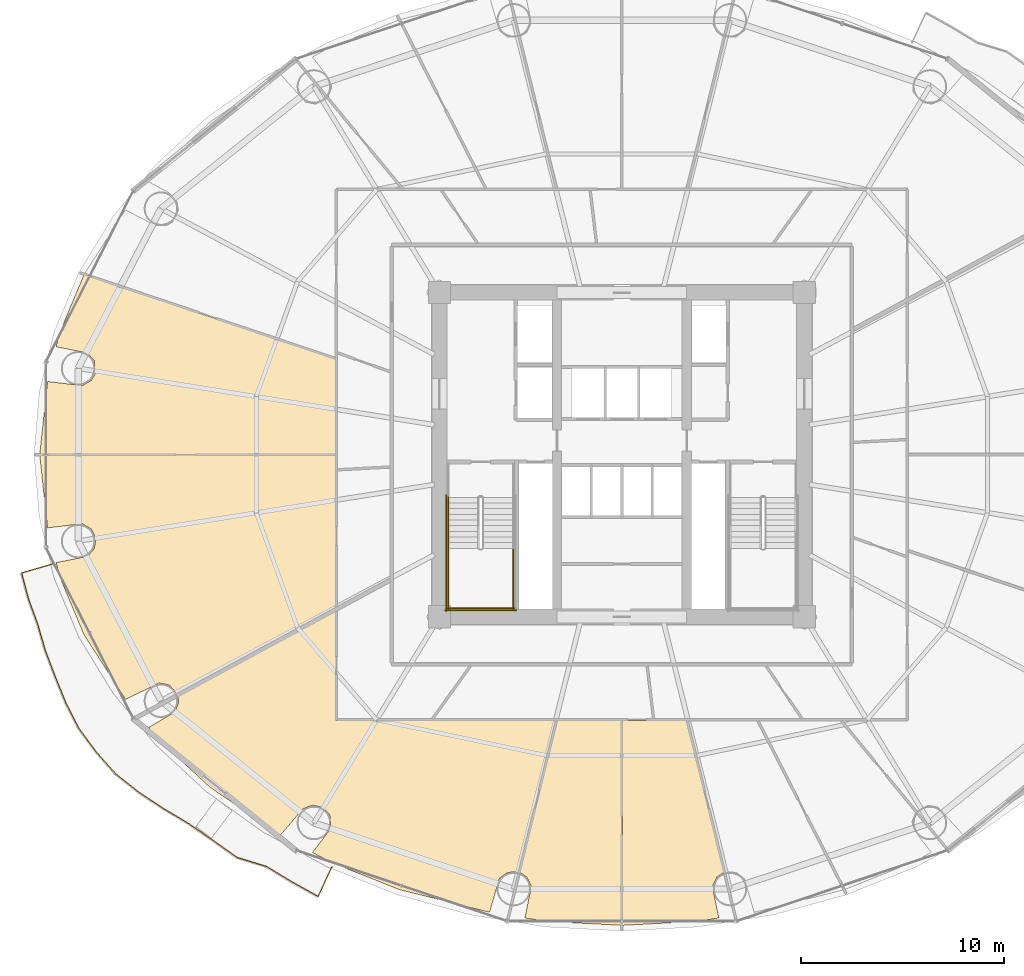
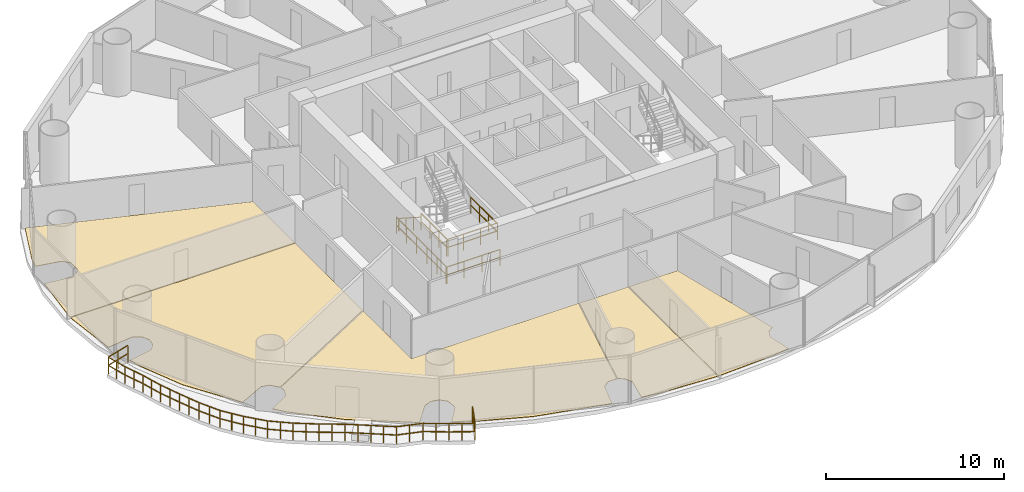
# One storey, part 27 of 30: 7 railings, 5 coverings.
"""IFC4 building model written with IfcOpenShell, lengths in metres."""

import ifcopenshell
import ifcopenshell.guid

model = None  # the IFC model being written
_history = None  # IfcOwnerHistory: only IFC2X3 demands one
_inside = {}  # id of a spatial element -> (the spatial element, [elements in it])
_under = {}  # id of a project, library or spatial element -> (it, [spatial elements below it])
_declared = {}  # id of a project -> (the project, [libraries it declares])
_typed = {}  # id of a type object -> (the type object, [elements of that type])
_made_of = {}  # id of a material, layer set ... -> (it, [elements and type objects made of it])


def new_model(schema):
    """Start an empty IFC model of exactly this schema.

    Asked for "IFC4X3", IfcOpenShell would pick the latest addendum, in which some entities
    have other attributes; the version numbers below select the first issue.
    IFC2X3 requires an IfcOwnerHistory on every rooted entity: one is made here for all.
    """
    global model, _history
    if schema == "IFC4X3":
        model = ifcopenshell.file(schema_version=(4, 3, 0, 0))
    else:
        model = ifcopenshell.file(schema=schema)
    _inside.clear()
    _under.clear()
    _declared.clear()
    _typed.clear()
    _made_of.clear()
    _history = None
    if model.schema == "IFC2X3":
        org = make("IfcOrganization", Name="unknown")
        user = make(
            "IfcPersonAndOrganization",
            ThePerson=make("IfcPerson", FamilyName="unknown"),
            TheOrganization=org,
        )
        app = make(
            "IfcApplication",
            ApplicationDeveloper=org,
            Version="unknown",
            ApplicationFullName="unknown",
            ApplicationIdentifier="unknown",
        )
        _history = make(
            "IfcOwnerHistory",
            OwningUser=user,
            OwningApplication=app,
            ChangeAction="ADDED",
            CreationDate=0,
        )
    return model


def make(cls, **values):
    """One entity of the class cls with the attributes given. An attribute that is None is left unset."""
    return model.create_entity(
        cls, **{name: value for name, value in values.items() if value is not None}
    )


def rooted(cls, **values):
    """An entity with a GlobalId (a new one), such as an element, a storey or a relation."""
    return make(cls, GlobalId=ifcopenshell.guid.new(), OwnerHistory=_history, **values)


def si_unit(unit_type, name, prefix=None):
    """IfcSIUnit, for example si_unit("LENGTHUNIT", "METRE", prefix="MILLI")."""
    return make("IfcSIUnit", UnitType=unit_type, Prefix=prefix, Name=name)


def assignment(units):
    """IfcUnitAssignment: the units of a project."""
    return None if units is None else make("IfcUnitAssignment", Units=units)


def point(xyz):
    """IfcCartesianPoint."""
    return None if xyz is None else make("IfcCartesianPoint", Coordinates=xyz)


def direction(xyz):
    """IfcDirection."""
    return None if xyz is None else make("IfcDirection", DirectionRatios=xyz)


def frame(location, z_axis=None, x_axis=None):
    """IfcAxis2Placement3D, a coordinate frame: its origin and axes. An axis left out is left unset."""
    return make(
        "IfcAxis2Placement3D",
        Location=point(location),
        Axis=direction(z_axis),
        RefDirection=direction(x_axis),
    )


def frame_2d(location, x_axis=None):
    """IfcAxis2Placement2D, a coordinate frame in the plane: its origin and x axis."""
    return make(
        "IfcAxis2Placement2D", Location=point(location), RefDirection=direction(x_axis)
    )


def origin():
    """The frame at (0, 0, 0) with its axes left unset."""
    return frame((0.0, 0.0, 0.0))


def origin_2d():
    """The frame at (0, 0) in the plane with its x axis left unset."""
    return frame_2d((0.0, 0.0))


def place(relative_to, where):
    """IfcLocalPlacement: puts the frame where relative to a parent placement (None: the world)."""
    return make(
        "IfcLocalPlacement", PlacementRelTo=relative_to, RelativePlacement=where
    )


def context(
    kind, dimensions, precision=None, world=None, true_north=None, identifier=None
):
    """IfcGeometricRepresentationContext, for example the 3D "Model" context."""
    return make(
        "IfcGeometricRepresentationContext",
        ContextIdentifier=identifier,
        ContextType=kind,
        CoordinateSpaceDimension=dimensions,
        Precision=precision,
        WorldCoordinateSystem=world,
        TrueNorth=true_north,
    )


def subcontext(parent, identifier, kind, view, scale=None):
    """IfcGeometricRepresentationSubContext, for example "Body" below "Model"."""
    return make(
        "IfcGeometricRepresentationSubContext",
        ContextIdentifier=identifier,
        ContextType=kind,
        ParentContext=parent,
        TargetScale=scale,
        TargetView=view,
    )


def project(units=None, contexts=None):
    """IfcProject with its units and contexts."""
    return rooted(
        "IfcProject",
        Name="project",
        RepresentationContexts=contexts,
        UnitsInContext=assignment(units),
    )


def spatial(cls, under=None, at=None, **own):
    """A site, building, storey or space (cls), placed at a placement, below another one or the project."""
    s = rooted(cls, ObjectPlacement=at, **own)
    if under is not None:
        _under.setdefault(under.id(), (under, []))[1].append(s)
    return s


def polyline(points):
    """IfcPolyline through the points."""
    return make("IfcPolyline", Points=[point(p) for p in points])


def profile(cls, at=None, kind="AREA", **sizes):
    """A parametric profile (cls). Its sizes go by their IFC names, for example OverallWidth=200.0."""
    return make(cls, ProfileType=kind, Position=at, **sizes)


def rectangle(**sizes):
    """IfcRectangleProfileDef."""
    return profile("IfcRectangleProfileDef", **sizes)


def outline(outer, holes=None, kind="AREA"):
    """IfcArbitraryClosedProfileDef: a profile drawn as a closed curve; with holes, ...WithVoids."""
    if holes is None:
        return make("IfcArbitraryClosedProfileDef", ProfileType=kind, OuterCurve=outer)
    return make(
        "IfcArbitraryProfileDefWithVoids",
        ProfileType=kind,
        OuterCurve=outer,
        InnerCurves=holes,
    )


def extrude(swept, where, along, depth):
    """IfcExtrudedAreaSolid: the profile swept, set in the frame where, extruded along a direction by depth."""
    return make(
        "IfcExtrudedAreaSolid",
        SweptArea=swept,
        Position=where,
        ExtrudedDirection=direction(along),
        Depth=depth,
    )


def shape(context_of_items, identifier, shape_type, items):
    """IfcShapeRepresentation: the items that make up one representation, for example the "Body"."""
    return make(
        "IfcShapeRepresentation",
        ContextOfItems=context_of_items,
        RepresentationIdentifier=identifier,
        RepresentationType=shape_type,
        Items=items,
    )


def material(Name=None, Category=None):
    """IfcMaterial."""
    return make("IfcMaterial", Name=Name, Category=Category)


def layer(
    of_material, thickness, ventilated=None, Name=None, Category=None, Priority=None
):
    """IfcMaterialLayer: one layer of a wall or slab, of a material (None: an air gap)."""
    return make(
        "IfcMaterialLayer",
        Material=of_material,
        LayerThickness=thickness,
        IsVentilated=ventilated,
        Name=Name,
        Category=Category,
        Priority=Priority,
    )


def layer_set(layers, Name=None):
    """IfcMaterialLayerSet."""
    return make("IfcMaterialLayerSet", MaterialLayers=layers, LayerSetName=Name)


def made_of(thing, what):
    """Note that an element or type object is made of a material, layer set ...; save() writes the relation."""
    if what is not None:
        _made_of.setdefault(what.id(), (what, []))[1].append(thing)
    return thing


def type_object(cls, material=None, **own):
    """A type object (cls), such as IfcWallType, which elements share."""
    return made_of(rooted(cls, **own), material)


def element(
    cls,
    number,
    at=None,
    inside=None,
    cuts=None,
    type_object=None,
    material=None,
    context=None,
    identifier="Body",
    shape_type=None,
    held_by="IfcProductDefinitionShape",
    body=None,
    shapes=None,
    **own,
):
    """One element of the class cls, such as IfcWall. Its Tag is "e" and its number.

    at: its placement. inside: the storey or other place that contains it. cuts: it is an
    opening in that element (IfcRelVoidsElement). A single representation is given by context,
    identifier, shape_type and body (its items); several are given by shapes. held_by: the class
    of the entity that holds the representations. save() writes the other relations.
    """
    e = rooted(cls, Tag="e%d" % number, ObjectPlacement=at, **own)
    if body is not None:
        shapes = [shape(context, identifier, shape_type, body)]
    if shapes is not None:
        e.Representation = make(held_by, Representations=shapes)
    if inside is not None:
        _inside.setdefault(inside.id(), (inside, []))[1].append(e)
    if cuts is not None:
        rooted(
            "IfcRelVoidsElement", RelatingBuildingElement=cuts, RelatedOpeningElement=e
        )
    if type_object is not None:
        _typed.setdefault(type_object.id(), (type_object, []))[1].append(e)
    return made_of(e, material)


def aggregate(whole, parts):
    """IfcRelAggregates: a whole, such as a stair, and the parts it consists of."""
    return rooted("IfcRelAggregates", RelatingObject=whole, RelatedObjects=parts)


def save(model, path):
    """Write the relations noted so far, then the file.

    IfcRelAggregates (storeys below a building ...), IfcRelContainedInSpatialStructure (elements
    in a storey), IfcRelDefinesByType, IfcRelAssociatesMaterial and IfcRelDeclares: one each for
    every whole, place, type object, material and project.
    """
    for whole, parts in _under.values():
        aggregate(whole, parts)
    for where, things in _inside.values():
        rooted(
            "IfcRelContainedInSpatialStructure",
            RelatedElements=things,
            RelatingStructure=where,
        )
    for kind, things in _typed.values():
        rooted("IfcRelDefinesByType", RelatedObjects=things, RelatingType=kind)
    for what, things in _made_of.values():
        rooted("IfcRelAssociatesMaterial", RelatedObjects=things, RelatingMaterial=what)
    for by, libraries in _declared.values():
        rooted("IfcRelDeclares", RelatingContext=by, RelatedDefinitions=libraries)
    model.write(path)


model = new_model("IFC4")

# Units and contexts
model_context = context("Model", 3, precision=1e-05, world=origin(), true_north=direction((-0.2419218956, 0.970295726276)))
body_context = subcontext(model_context, "Body", "Model", "MODEL_VIEW")
ifc_project = project(units=[si_unit("LENGTHUNIT", "METRE"), si_unit("AREAUNIT", "SQUARE_METRE"), si_unit("VOLUMEUNIT", "CUBIC_METRE"), si_unit("PLANEANGLEUNIT", "RADIAN"), si_unit("MASSUNIT", "GRAM", prefix="KILO")], contexts=[model_context])

# Site, building, storey
site_placement = place(None, origin())
site = spatial("IfcSite", under=ifc_project, at=site_placement, CompositionType="ELEMENT")
building_placement = place(site_placement, origin())
building = spatial("IfcBuilding", under=site, at=building_placement, Name="Cobrevalo Terracotta Tower", CompositionType="ELEMENT")
storey_placement = place(building_placement, frame((0.0, 0.0, 56.39990234375)))
storey = spatial("IfcBuildingStorey", under=building, at=storey_placement, Name="L14", CompositionType="ELEMENT", Elevation=56.39990234375)

# Railing
ifc_material_1 = material(Name="Laminated structural glass and stainless steel", Category="steel")
railing_type_1 = type_object("IfcRailingType", Name="Balcony lobe structural glass & terracotta-cap balustrade 1180 mm", PredefinedType="BALUSTRADE", material=ifc_material_1)
railing_1_placement = place(storey_placement, frame((9.91064453125, 21.410888671875, 0.0)))
element("IfcRailing", 1, at=railing_1_placement, inside=storey, type_object=railing_type_1, Name="L14 spiralling balcony lobe balustrade 2", PredefinedType="BALUSTRADE", context=body_context, shape_type="SweptSolid", body=[
    extrude(rectangle(XDim=0.048095703125, YDim=0.048095703125, at=origin_2d()), frame((0.0, 0.0, 1.15576171875), z_axis=(-0.959953488295, -0.280159419457, 0.0), x_axis=(0.280159419457, -0.959953488295, 0.0)), (0.0, 0.0, 1.0), 1.587646484375),
    extrude(rectangle(XDim=0.048095703125, YDim=0.048095703125, at=origin_2d()), frame((0.0, 0.0, 0.58984375), z_axis=(-0.959953488295, -0.280159419457, 0.0), x_axis=(0.280159419457, -0.959953488295, 0.0)), (0.0, 0.0, 1.0), 1.587646484375),
    extrude(rectangle(XDim=0.048095703125, YDim=0.048095703125, at=origin_2d()), frame((-1.524169921875, -0.44482421875, 1.15576171875), z_axis=(0.25676316911, -0.966474352991, 0.0), x_axis=(0.966474352991, 0.25676316911, 0.0)), (0.0, 0.0, 1.0), 1.31787109375),
    extrude(rectangle(XDim=0.048095703125, YDim=0.048095703125, at=origin_2d()), frame((-1.524169921875, -0.44482421875, 0.58984375), z_axis=(0.25676316911, -0.966474352991, 0.0), x_axis=(0.966474352991, 0.25676316911, 0.0)), (0.0, 0.0, 1.0), 1.31787109375),
    extrude(rectangle(XDim=0.048095703125, YDim=0.048095703125, at=origin_2d()), frame((-1.185791015625, -1.718505859375, 1.15576171875), z_axis=(0.341213887421, -0.939985682354, 0.0), x_axis=(0.939985682354, 0.341213887421, 0.0)), (0.0, 0.0, 1.0), 1.333740234375),
    extrude(rectangle(XDim=0.048095703125, YDim=0.048095703125, at=origin_2d()), frame((-1.185791015625, -1.718505859375, 0.58984375), z_axis=(0.341213887421, -0.939985682354, 0.0), x_axis=(0.939985682354, 0.341213887421, 0.0)), (0.0, 0.0, 1.0), 1.333740234375),
    extrude(rectangle(XDim=0.048095703125, YDim=0.048095703125, at=origin_2d()), frame((-0.730712890625, -2.97216796875, 1.15576171875), z_axis=(0.278150053131, -0.96053763484, 0.0), x_axis=(0.96053763484, 0.278150053131, 0.0)), (0.0, 0.0, 1.0), 1.353515625),
    extrude(rectangle(XDim=0.048095703125, YDim=0.048095703125, at=origin_2d()), frame((-0.730712890625, -2.97216796875, 0.58984375), z_axis=(0.278150053131, -0.96053763484, 0.0), x_axis=(0.96053763484, 0.278150053131, 0.0)), (0.0, 0.0, 1.0), 1.353515625),
    extrude(rectangle(XDim=0.048095703125, YDim=0.048095703125, at=origin_2d()), frame((-0.354248046875, -4.272216796875, 1.15576171875), z_axis=(0.355282598321, -0.93475893969, 0.0), x_axis=(0.93475893969, 0.355282598321, 0.0)), (0.0, 0.0, 1.0), 1.3818359375),
    extrude(rectangle(XDim=0.048095703125, YDim=0.048095703125, at=origin_2d()), frame((-0.354248046875, -4.272216796875, 0.58984375), z_axis=(0.355282598321, -0.93475893969, 0.0), x_axis=(0.93475893969, 0.355282598321, 0.0)), (0.0, 0.0, 1.0), 1.3818359375),
    extrude(rectangle(XDim=0.048095703125, YDim=0.048095703125, at=origin_2d()), frame((0.13671875, -5.56396484375, 1.15576171875), z_axis=(0.374770128343, -0.92711776539, 0.0), x_axis=(0.92711776539, 0.374770128343, 0.0)), (0.0, 0.0, 1.0), 1.406494140625),
    extrude(rectangle(XDim=0.048095703125, YDim=0.048095703125, at=origin_2d()), frame((0.13671875, -5.56396484375, 0.58984375), z_axis=(0.374770128343, -0.92711776539, 0.0), x_axis=(0.92711776539, 0.374770128343, 0.0)), (0.0, 0.0, 1.0), 1.406494140625),
    extrude(rectangle(XDim=0.048095703125, YDim=0.048095703125, at=origin_2d()), frame((0.663818359375, -6.867919921875, 1.15576171875), z_axis=(0.454713158602, -0.890637941811, 0.0), x_axis=(0.890637941811, 0.454713158602, 0.0)), (0.0, 0.0, 1.0), 1.416259765625),
    extrude(rectangle(XDim=0.048095703125, YDim=0.048095703125, at=origin_2d()), frame((0.663818359375, -6.867919921875, 0.58984375), z_axis=(0.454713158602, -0.890637941811, 0.0), x_axis=(0.890637941811, 0.454713158602, 0.0)), (0.0, 0.0, 1.0), 1.416259765625),
    extrude(rectangle(XDim=0.048095703125, YDim=0.048095703125, at=origin_2d()), frame((1.307861328125, -8.12939453125, 1.15576171875), z_axis=(0.593547662469, -0.804798839697, 0.0), x_axis=(0.804798839697, 0.593547662469, 0.0)), (0.0, 0.0, 1.0), 1.43310546875),
    extrude(rectangle(XDim=0.048095703125, YDim=0.048095703125, at=origin_2d()), frame((1.307861328125, -8.12939453125, 0.58984375), z_axis=(0.593547662469, -0.804798839697, 0.0), x_axis=(0.804798839697, 0.593547662469, 0.0)), (0.0, 0.0, 1.0), 1.43310546875),
    extrude(rectangle(XDim=0.048095703125, YDim=0.048095703125, at=origin_2d()), frame((2.158447265625, -9.28271484375, 1.15576171875), z_axis=(0.662868501169, -0.748735834696, 0.0), x_axis=(0.748735834696, 0.662868501169, 0.0)), (0.0, 0.0, 1.0), 1.43017578125),
    extrude(rectangle(XDim=0.048095703125, YDim=0.048095703125, at=origin_2d()), frame((2.158447265625, -9.28271484375, 0.58984375), z_axis=(0.662868501169, -0.748735834696, 0.0), x_axis=(0.748735834696, 0.662868501169, 0.0)), (0.0, 0.0, 1.0), 1.43017578125),
    extrude(rectangle(XDim=0.048095703125, YDim=0.048095703125, at=origin_2d()), frame((3.1064453125, -10.353515625, 1.15576171875), z_axis=(0.784055996257, -0.620690095566, 0.0), x_axis=(0.620690095566, 0.784055996257, 0.0)), (0.0, 0.0, 1.0), 1.4599609375),
    extrude(rectangle(XDim=0.048095703125, YDim=0.048095703125, at=origin_2d()), frame((3.1064453125, -10.353515625, 0.58984375), z_axis=(0.784055996257, -0.620690095566, 0.0), x_axis=(0.620690095566, 0.784055996257, 0.0)), (0.0, 0.0, 1.0), 1.4599609375),
    extrude(rectangle(XDim=0.048095703125, YDim=0.048095703125, at=origin_2d()), frame((4.251220703125, -11.259765625, 1.15576171875), z_axis=(0.834019035197, -0.551735669438, 0.0), x_axis=(0.551735669438, 0.834019035197, 0.0)), (0.0, 0.0, 1.0), 1.465087890625),
    extrude(rectangle(XDim=0.048095703125, YDim=0.048095703125, at=origin_2d()), frame((4.251220703125, -11.259765625, 0.58984375), z_axis=(0.834019035197, -0.551735669438, 0.0), x_axis=(0.551735669438, 0.834019035197, 0.0)), (0.0, 0.0, 1.0), 1.465087890625),
    extrude(rectangle(XDim=0.048095703125, YDim=0.048095703125, at=origin_2d()), frame((5.47314453125, -12.068115234375, 1.15576171875), z_axis=(0.858955491535, -0.512050254918, 0.0), x_axis=(0.512050254918, 0.858955491535, 0.0)), (0.0, 0.0, 1.0), 1.45458984375),
    extrude(rectangle(XDim=0.048095703125, YDim=0.048095703125, at=origin_2d()), frame((5.47314453125, -12.068115234375, 0.58984375), z_axis=(0.858955491535, -0.512050254918, 0.0), x_axis=(0.512050254918, 0.858955491535, 0.0)), (0.0, 0.0, 1.0), 1.45458984375),
    extrude(rectangle(XDim=0.048095703125, YDim=0.048095703125, at=origin_2d()), frame((6.72265625, -12.81298828125, 1.15576171875), z_axis=(0.822613647557, -0.568600727095, 0.0), x_axis=(0.568600727095, 0.822613647557, 0.0)), (0.0, 0.0, 1.0), 1.458984375),
    extrude(rectangle(XDim=0.048095703125, YDim=0.048095703125, at=origin_2d()), frame((6.72265625, -12.81298828125, 0.58984375), z_axis=(0.822613647557, -0.568600727095, 0.0), x_axis=(0.568600727095, 0.822613647557, 0.0)), (0.0, 0.0, 1.0), 1.458984375),
    extrude(rectangle(XDim=0.048095703125, YDim=0.048095703125, at=origin_2d()), frame((7.9228515625, -13.642578125, 1.15576171875), z_axis=(0.816218894851, -0.577742776405, 0.0), x_axis=(0.577742776405, 0.816218894851, 0.0)), (0.0, 0.0, 1.0), 1.455810546875),
    extrude(rectangle(XDim=0.048095703125, YDim=0.048095703125, at=origin_2d()), frame((7.9228515625, -13.642578125, 0.58984375), z_axis=(0.816218894851, -0.577742776405, 0.0), x_axis=(0.577742776405, 0.816218894851, 0.0)), (0.0, 0.0, 1.0), 1.455810546875),
    extrude(rectangle(XDim=0.048095703125, YDim=0.048095703125, at=origin_2d()), frame((9.111083984375, -14.483642578125, 1.15576171875), z_axis=(0.956303986785, -0.29237422058, 0.0), x_axis=(0.29237422058, 0.956303986785, 0.0)), (0.0, 0.0, 1.0), 1.513916015625),
    extrude(rectangle(XDim=0.048095703125, YDim=0.048095703125, at=origin_2d()), frame((9.111083984375, -14.483642578125, 0.58984375), z_axis=(0.956303986785, -0.29237422058, 0.0), x_axis=(0.29237422058, 0.956303986785, 0.0)), (0.0, 0.0, 1.0), 1.513916015625),
    extrude(rectangle(XDim=0.048095703125, YDim=0.048095703125, at=origin_2d()), frame((10.558837890625, -14.92626953125, 1.15576171875), z_axis=(0.854981792719, -0.518658012683, 0.0), x_axis=(0.518658012683, 0.854981792719, 0.0)), (0.0, 0.0, 1.0), 1.472900390625),
    extrude(rectangle(XDim=0.048095703125, YDim=0.048095703125, at=origin_2d()), frame((10.558837890625, -14.92626953125, 0.58984375), z_axis=(0.854981792719, -0.518658012683, 0.0), x_axis=(0.518658012683, 0.854981792719, 0.0)), (0.0, 0.0, 1.0), 1.472900390625),
    extrude(rectangle(XDim=0.048095703125, YDim=0.048095703125, at=origin_2d()), frame((11.818115234375, -15.690185546875, 1.15576171875), z_axis=(0.874889454539, -0.484322663456, 0.0), x_axis=(0.484322663456, 0.874889454539, 0.0)), (0.0, 0.0, 1.0), 1.4765625),
    extrude(rectangle(XDim=0.048095703125, YDim=0.048095703125, at=origin_2d()), frame((11.818115234375, -15.690185546875, 0.58984375), z_axis=(0.874889454539, -0.484322663456, 0.0), x_axis=(0.484322663456, 0.874889454539, 0.0)), (0.0, 0.0, 1.0), 1.4765625),
    extrude(rectangle(XDim=0.048095703125, YDim=0.048095703125, at=origin_2d()), frame((13.10986328125, -16.4052734375, 1.15576171875), z_axis=(0.419732157948, 0.907648013045, 0.0), x_axis=(-0.907648013045, 0.419732157948, 0.0)), (0.0, 0.0, 1.0), 1.607666015625),
    extrude(rectangle(XDim=0.048095703125, YDim=0.048095703125, at=origin_2d()), frame((13.10986328125, -16.4052734375, 0.58984375), z_axis=(0.419732157948, 0.907648013045, 0.0), x_axis=(-0.907648013045, 0.419732157948, 0.0)), (0.0, 0.0, 1.0), 1.607666015625),
    extrude(rectangle(XDim=0.0419921875, YDim=0.0419921875, at=origin_2d()), origin(), (0.0, 0.0, 1.0), 1.1318359375),
    extrude(rectangle(XDim=0.0419921875, YDim=0.0419921875, at=origin_2d()), frame((-0.76220703125, -0.222412109375, 0.0)), (0.0, 0.0, 1.0), 1.1318359375),
    extrude(rectangle(XDim=0.0419921875, YDim=0.0419921875, at=origin_2d()), frame((-1.524169921875, -0.44482421875, 0.0)), (0.0, 0.0, 1.0), 1.1318359375),
    extrude(rectangle(XDim=0.0419921875, YDim=0.0419921875, at=origin_2d()), frame((-1.35498046875, -1.08154296875, 0.0)), (0.0, 0.0, 1.0), 1.1318359375),
    extrude(rectangle(XDim=0.0419921875, YDim=0.0419921875, at=origin_2d()), frame((-1.185791015625, -1.718505859375, 0.0)), (0.0, 0.0, 1.0), 1.1318359375),
    extrude(rectangle(XDim=0.0419921875, YDim=0.0419921875, at=origin_2d()), frame((-0.958251953125, -2.34521484375, 0.0)), (0.0, 0.0, 1.0), 1.1318359375),
    extrude(rectangle(XDim=0.0419921875, YDim=0.0419921875, at=origin_2d()), frame((-0.730712890625, -2.97216796875, 0.0)), (0.0, 0.0, 1.0), 1.1318359375),
    extrude(rectangle(XDim=0.0419921875, YDim=0.0419921875, at=origin_2d()), frame((-0.54248046875, -3.6220703125, 0.0)), (0.0, 0.0, 1.0), 1.1318359375),
    extrude(rectangle(XDim=0.0419921875, YDim=0.0419921875, at=origin_2d()), frame((-0.354248046875, -4.272216796875, 0.0)), (0.0, 0.0, 1.0), 1.1318359375),
    extrude(rectangle(XDim=0.0419921875, YDim=0.0419921875, at=origin_2d()), frame((-0.10888671875, -4.91796875, 0.0)), (0.0, 0.0, 1.0), 1.1318359375),
    extrude(rectangle(XDim=0.0419921875, YDim=0.0419921875, at=origin_2d()), frame((0.13671875, -5.56396484375, 0.0)), (0.0, 0.0, 1.0), 1.1318359375),
    extrude(rectangle(XDim=0.0419921875, YDim=0.0419921875, at=origin_2d()), frame((0.400390625, -6.2158203125, 0.0)), (0.0, 0.0, 1.0), 1.1318359375),
    extrude(rectangle(XDim=0.0419921875, YDim=0.0419921875, at=origin_2d()), frame((0.663818359375, -6.867919921875, 0.0)), (0.0, 0.0, 1.0), 1.1318359375),
    extrude(rectangle(XDim=0.0419921875, YDim=0.0419921875, at=origin_2d()), frame((0.98583984375, -7.49853515625, 0.0)), (0.0, 0.0, 1.0), 1.1318359375),
    extrude(rectangle(XDim=0.0419921875, YDim=0.0419921875, at=origin_2d()), frame((1.307861328125, -8.12939453125, 0.0)), (0.0, 0.0, 1.0), 1.1318359375),
    extrude(rectangle(XDim=0.0419921875, YDim=0.0419921875, at=origin_2d()), frame((1.733154296875, -8.7060546875, 0.0)), (0.0, 0.0, 1.0), 1.1318359375),
    extrude(rectangle(XDim=0.0419921875, YDim=0.0419921875, at=origin_2d()), frame((2.158447265625, -9.28271484375, 0.0)), (0.0, 0.0, 1.0), 1.1318359375),
    extrude(rectangle(XDim=0.0419921875, YDim=0.0419921875, at=origin_2d()), frame((2.63232421875, -9.818115234375, 0.0)), (0.0, 0.0, 1.0), 1.1318359375),
    extrude(rectangle(XDim=0.0419921875, YDim=0.0419921875, at=origin_2d()), frame((3.1064453125, -10.353515625, 0.0)), (0.0, 0.0, 1.0), 1.1318359375),
    extrude(rectangle(XDim=0.0419921875, YDim=0.0419921875, at=origin_2d()), frame((3.6787109375, -10.806640625, 0.0)), (0.0, 0.0, 1.0), 1.1318359375),
    extrude(rectangle(XDim=0.0419921875, YDim=0.0419921875, at=origin_2d()), frame((4.251220703125, -11.259765625, 0.0)), (0.0, 0.0, 1.0), 1.1318359375),
    extrude(rectangle(XDim=0.0419921875, YDim=0.0419921875, at=origin_2d()), frame((4.8623046875, -11.6640625, 0.0)), (0.0, 0.0, 1.0), 1.1318359375),
    extrude(rectangle(XDim=0.0419921875, YDim=0.0419921875, at=origin_2d()), frame((5.47314453125, -12.068115234375, 0.0)), (0.0, 0.0, 1.0), 1.1318359375),
    extrude(rectangle(XDim=0.0419921875, YDim=0.0419921875, at=origin_2d()), frame((6.097900390625, -12.4404296875, 0.0)), (0.0, 0.0, 1.0), 1.1318359375),
    extrude(rectangle(XDim=0.0419921875, YDim=0.0419921875, at=origin_2d()), frame((6.72265625, -12.81298828125, 0.0)), (0.0, 0.0, 1.0), 1.1318359375),
    extrude(rectangle(XDim=0.0419921875, YDim=0.0419921875, at=origin_2d()), frame((7.32275390625, -13.227783203125, 0.0)), (0.0, 0.0, 1.0), 1.1318359375),
    extrude(rectangle(XDim=0.0419921875, YDim=0.0419921875, at=origin_2d()), frame((7.9228515625, -13.642578125, 0.0)), (0.0, 0.0, 1.0), 1.1318359375),
    extrude(rectangle(XDim=0.0419921875, YDim=0.0419921875, at=origin_2d()), frame((8.51708984375, -14.06298828125, 0.0)), (0.0, 0.0, 1.0), 1.1318359375),
    extrude(rectangle(XDim=0.0419921875, YDim=0.0419921875, at=origin_2d()), frame((9.111083984375, -14.483642578125, 0.0)), (0.0, 0.0, 1.0), 1.1318359375),
    extrude(rectangle(XDim=0.0419921875, YDim=0.0419921875, at=origin_2d()), frame((9.8349609375, -14.705078125, 0.0)), (0.0, 0.0, 1.0), 1.1318359375),
    extrude(rectangle(XDim=0.0419921875, YDim=0.0419921875, at=origin_2d()), frame((10.558837890625, -14.92626953125, 0.0)), (0.0, 0.0, 1.0), 1.1318359375),
    extrude(rectangle(XDim=0.0419921875, YDim=0.0419921875, at=origin_2d()), frame((11.1884765625, -15.30810546875, 0.0)), (0.0, 0.0, 1.0), 1.1318359375),
    extrude(rectangle(XDim=0.0419921875, YDim=0.0419921875, at=origin_2d()), frame((11.818115234375, -15.690185546875, 0.0)), (0.0, 0.0, 1.0), 1.1318359375),
    extrude(rectangle(XDim=0.0419921875, YDim=0.0419921875, at=origin_2d()), frame((12.4638671875, -16.0478515625, 0.0)), (0.0, 0.0, 1.0), 1.1318359375),
    extrude(rectangle(XDim=0.0419921875, YDim=0.0419921875, at=origin_2d()), frame((13.10986328125, -16.4052734375, 0.0)), (0.0, 0.0, 1.0), 1.1318359375),
    extrude(rectangle(XDim=0.0419921875, YDim=0.0419921875, at=origin_2d()), frame((13.447265625, -15.67578125, 0.0)), (0.0, 0.0, 1.0), 1.1318359375),
    extrude(rectangle(XDim=0.0419921875, YDim=0.0419921875, at=origin_2d()), frame((13.78466796875, -14.946044921875, 0.0)), (0.0, 0.0, 1.0), 1.1318359375),
])

# Coverings
ifc_material_2 = material(Name="Engineered Brazilian hardwood flooring", Category="wood")
ifc_layer = layer(ifc_material_2, 0.028076171875)
ifc_layer_set = layer_set([ifc_layer], Name="Engineered Brazilian hardwood flooring")
covering_type = type_object("IfcCoveringType", Name="Engineered Hardwood Suite Flooring 28", PredefinedType="FLOORING", material=ifc_layer_set)
covering_1_placement = place(storey_placement, origin())
element("IfcCovering", 2, at=covering_1_placement, inside=storey, type_object=covering_type, Name="Flat L14A Penthouse Family Lounge floor finish", PredefinedType="FLOORING", context=body_context, shape_type="SweptSolid", body=[
    extrude(outline(polyline([(9.668701171875, 30.4111328125), (11.380615234375, 30.206787109375), (11.821533203125, 30.465087890625), (12.0009765625, 30.757568359375), (11.974853515625, 31.4306640625), (11.6357421875, 31.81298828125), (10.090576171875, 32.126220703125), (10.25830078125, 32.80859375), (11.468505859375, 35.684326171875), (23.89501953125, 31.513427734375), (23.89501953125, 26.820068359375), (9.28173828125, 26.820068359375), (9.668701171875, 30.4111328125)])), origin(), (0.0, 0.0, 1.0), 0.030029296875),
])
covering_2_placement = place(storey_placement, origin())
element("IfcCovering", 3, at=covering_2_placement, inside=storey, type_object=covering_type, Name="Flat L14A Private Cinema Room floor finish", PredefinedType="FLOORING", context=body_context, shape_type="SweptSolid", body=[
    extrude(outline(polyline([(10.090576171875, 21.473876953125), (11.6357421875, 21.787109375), (11.974853515625, 22.169189453125), (12.044677734375, 22.67529296875), (11.821533203125, 23.135009765625), (11.380615234375, 23.39306640625), (9.668701171875, 23.18896484375), (9.28173828125, 26.780029296875), (23.89501953125, 26.780029296875), (23.89501953125, 19.185546875), (16.084716796875, 14.95654296875), (15.674560546875, 15.436767578125), (15.173583984375, 15.53662109375), (13.511962890625, 14.7255859375), (11.465576171875, 17.91552734375), (10.25830078125, 20.791259765625), (10.090576171875, 21.473876953125)])), origin(), (0.0, 0.0, 1.0), 0.030029296875),
])
covering_3_placement = place(storey_placement, origin())
element("IfcCovering", 4, at=covering_3_placement, inside=storey, type_object=covering_type, Name="Flat L14B Penthouse Living and Dining Room floor finish", PredefinedType="FLOORING", context=body_context, shape_type="SweptSolid", body=[
    extrude(outline(polyline([(27.008056640625, 5.34814453125), (23.638427734375, 6.691650390625), (22.73681640625, 7.178955078125), (23.64501953125, 8.369140625), (23.585205078125, 9.0400390625), (23.227294921875, 9.40478515625), (22.72705078125, 9.509033203125), (22.253173828125, 9.31787109375), (21.156494140625, 8.03271484375), (17.6904296875, 10.38232421875), (15.213623046875, 12.666259765625), (14.65576171875, 13.341064453125), (15.939208984375, 14.10205078125), (16.135009765625, 14.573974609375), (16.09765625, 14.91796875), (23.89501953125, 19.14013671875), (23.89501953125, 13.695068359375), (34.762451171875, 13.695068359375), (32.924560546875, 6.20703125), (32.36669921875, 6.197998046875), (31.95654296875, 5.89306640625), (31.472412109375, 4.2255859375), (27.008056640625, 5.34814453125)])), origin(), (0.0, 0.0, 1.0), 0.030029296875),
])
covering_4_placement = place(storey_placement, origin())
element("IfcCovering", 5, at=covering_4_placement, inside=storey, type_object=covering_type, Name="Flat L14B Master Bedroom floor finish", PredefinedType="FLOORING", context=body_context, shape_type="SweptSolid", body=[
    extrude(outline(polyline([(33.21630859375, 3.945068359375), (33.53466796875, 5.500244140625), (33.3154296875, 5.9619140625), (32.96240234375, 6.193359375), (34.8037109375, 13.695068359375), (37.97998046875, 13.695068359375), (37.97998046875, 3.5810546875), (34.250732421875, 3.77880859375), (33.21630859375, 3.945068359375)])), origin(), (0.0, 0.0, 1.0), 0.030029296875),
])
covering_5_placement = place(storey_placement, origin())
element("IfcCovering", 6, at=covering_5_placement, inside=storey, type_object=covering_type, Name="Flat L14B Principal Guest Bedroom floor finish", PredefinedType="FLOORING", context=body_context, shape_type="SweptSolid", body=[
    extrude(outline(polyline([(38.02001953125, 3.5810546875), (38.02001953125, 13.695068359375), (41.1962890625, 13.695068359375), (43.03759765625, 6.193359375), (42.6845703125, 5.9619140625), (42.46533203125, 5.500244140625), (42.78369140625, 3.945068359375), (41.749267578125, 3.77880859375), (38.02001953125, 3.5810546875)])), origin(), (0.0, 0.0, 1.0), 0.030029296875),
])

# Railings
ifc_material_3 = material(Name="Brushed stainless steel", Category="steel")
railing_type_2 = type_object("IfcRailingType", Name="Stainless Steel Stair Handrail 900", PredefinedType="HANDRAIL", material=ifc_material_3)
railing_2_placement = place(storey_placement, frame((29.425048828125, 24.699951171875, 0.18017578125)))
element("IfcRailing", 7, at=railing_2_placement, inside=storey, type_object=railing_type_2, Name="L14 ST-1 stair handrail 1", PredefinedType="HANDRAIL", context=body_context, shape_type="SweptSolid", body=[
    extrude(rectangle(XDim=0.048095703125, YDim=0.048095703125, at=origin_2d()), frame((0.0, 0.0, 0.8759765625), z_axis=(0.0, -0.841199657755, 0.540724639528), x_axis=(1.0, 0.0, 0.0)), (0.0, 0.0, 1.0), 2.995849609375),
    extrude(rectangle(XDim=0.0419921875, YDim=0.0419921875, at=origin_2d()), origin(), (0.0, 0.0, 1.0), 0.851806640625),
    extrude(rectangle(XDim=0.0419921875, YDim=0.0419921875, at=origin_2d()), frame((0.0, -0.840087890625, 0.5400390625)), (0.0, 0.0, 1.0), 0.851806640625),
    extrude(rectangle(XDim=0.0419921875, YDim=0.0419921875, at=origin_2d()), frame((0.0, -1.679931640625, 1.079833984375)), (0.0, 0.0, 1.0), 0.851806640625),
    extrude(rectangle(XDim=0.0419921875, YDim=0.0419921875, at=origin_2d()), frame((0.0, -2.52001953125, 1.619873046875)), (0.0, 0.0, 1.0), 0.851806640625),
])
ifc_material_4 = material(Name="Painted galvanized steel", Category="steel")
railing_type_3 = type_object("IfcRailingType", Name="Stair Well Guard Balustrade 1150", PredefinedType="GUARDRAIL", material=ifc_material_4)
for number, where, name in (
    (8, (29.425048828125, 22.179931640625, 1.800048828125), "L14 ST-1 stair guard 3"),
    (9, (32.64501953125, 22.179931640625, 1.800048828125), "L14 ST-1 stair guard 4"),
):
    element("IfcRailing", number, at=place(storey_placement, frame(where)), inside=storey, type_object=railing_type_3, Name=name, PredefinedType="GUARDRAIL", context=body_context, shape_type="SweptSolid", body=[
        extrude(rectangle(XDim=0.048095703125, YDim=0.048095703125, at=origin_2d()), frame((0.0, 0.0, 1.1259765625), z_axis=(0.0, -1.0, 0.0), x_axis=(1.0, 0.0, 0.0)), (0.0, 0.0, 1.0), 3.0048828125),
        extrude(rectangle(XDim=0.048095703125, YDim=0.048095703125, at=origin_2d()), frame((0.0, 0.0, 0.574951171875), z_axis=(0.0, -1.0, 0.0), x_axis=(1.0, 0.0, 0.0)), (0.0, 0.0, 1.0), 3.0048828125),
        extrude(rectangle(XDim=0.0419921875, YDim=0.0419921875, at=origin_2d()), origin(), (0.0, 0.0, 1.0), 1.101806640625),
        extrude(rectangle(XDim=0.0419921875, YDim=0.0419921875, at=origin_2d()), frame((0.0, -1.001708984375, 0.0)), (0.0, 0.0, 1.0), 1.101806640625),
        extrude(rectangle(XDim=0.0419921875, YDim=0.0419921875, at=origin_2d()), frame((0.0, -2.003173828125, 0.0)), (0.0, 0.0, 1.0), 1.101806640625),
        extrude(rectangle(XDim=0.0419921875, YDim=0.0419921875, at=origin_2d()), frame((0.0, -3.0048828125, 0.0)), (0.0, 0.0, 1.0), 1.101806640625),
    ])
railing_3_placement = place(storey_placement, frame((29.375, 19.22509765625, 1.800048828125)))
element("IfcRailing", 10, at=railing_3_placement, inside=storey, type_object=railing_type_3, Name="L14 ST-1 stair guard 5", PredefinedType="GUARDRAIL", context=body_context, shape_type="SweptSolid", body=[
    extrude(rectangle(XDim=0.048095703125, YDim=0.048095703125, at=origin_2d()), frame((0.0, 0.0, 1.1259765625), z_axis=(1.0, 0.0, 0.0), x_axis=(0.0, 1.0, 0.0)), (0.0, 0.0, 1.0), 3.320068359375),
    extrude(rectangle(XDim=0.048095703125, YDim=0.048095703125, at=origin_2d()), frame((0.0, 0.0, 0.574951171875), z_axis=(1.0, 0.0, 0.0), x_axis=(0.0, 1.0, 0.0)), (0.0, 0.0, 1.0), 3.320068359375),
    extrude(rectangle(XDim=0.0419921875, YDim=0.0419921875, at=origin_2d()), origin(), (0.0, 0.0, 1.0), 1.101806640625),
    extrude(rectangle(XDim=0.0419921875, YDim=0.0419921875, at=origin_2d()), frame((1.106689453125, 0.0, 0.0)), (0.0, 0.0, 1.0), 1.101806640625),
    extrude(rectangle(XDim=0.0419921875, YDim=0.0419921875, at=origin_2d()), frame((2.21337890625, 0.0, 0.0)), (0.0, 0.0, 1.0), 1.101806640625),
    extrude(rectangle(XDim=0.0419921875, YDim=0.0419921875, at=origin_2d()), frame((3.320068359375, 0.0, 0.0)), (0.0, 0.0, 1.0), 1.101806640625),
])
railing_4_placement = place(storey_placement, frame((29.324951171875, 24.800048828125, 0.0)))
element("IfcRailing", 11, at=railing_4_placement, inside=storey, type_object=railing_type_3, Name="L14 ST-1 stair guard 10", PredefinedType="GUARDRAIL", context=body_context, shape_type="SweptSolid", body=[
    extrude(rectangle(XDim=0.048095703125, YDim=0.048095703125, at=origin_2d()), frame((0.0, 0.0, 1.1259765625), z_axis=(0.0, -1.0, 0.0), x_axis=(1.0, 0.0, 0.0)), (0.0, 0.0, 1.0), 5.72509765625),
    extrude(rectangle(XDim=0.048095703125, YDim=0.048095703125, at=origin_2d()), frame((0.0, 0.0, 0.574951171875), z_axis=(0.0, -1.0, 0.0), x_axis=(1.0, 0.0, 0.0)), (0.0, 0.0, 1.0), 5.72509765625),
    extrude(rectangle(XDim=0.0419921875, YDim=0.0419921875, at=origin_2d()), origin(), (0.0, 0.0, 1.0), 1.101806640625),
    extrude(rectangle(XDim=0.0419921875, YDim=0.0419921875, at=origin_2d()), frame((0.0, -1.14501953125, 0.0)), (0.0, 0.0, 1.0), 1.101806640625),
    extrude(rectangle(XDim=0.0419921875, YDim=0.0419921875, at=origin_2d()), frame((0.0, -2.2900390625, 0.0)), (0.0, 0.0, 1.0), 1.101806640625),
    extrude(rectangle(XDim=0.0419921875, YDim=0.0419921875, at=origin_2d()), frame((0.0, -3.43505859375, 0.0)), (0.0, 0.0, 1.0), 1.101806640625),
    extrude(rectangle(XDim=0.0419921875, YDim=0.0419921875, at=origin_2d()), frame((0.0, -4.580078125, 0.0)), (0.0, 0.0, 1.0), 1.101806640625),
    extrude(rectangle(XDim=0.0419921875, YDim=0.0419921875, at=origin_2d()), frame((0.0, -5.72509765625, 0.0)), (0.0, 0.0, 1.0), 1.101806640625),
])
railing_5_placement = place(storey_placement, frame((29.27490234375, 19.125, 0.0)))
element("IfcRailing", 12, at=railing_5_placement, inside=storey, type_object=railing_type_3, Name="L14 ST-1 stair guard 12", PredefinedType="GUARDRAIL", context=body_context, shape_type="SweptSolid", body=[
    extrude(rectangle(XDim=0.048095703125, YDim=0.048095703125, at=origin_2d()), frame((0.0, 0.0, 1.1259765625), z_axis=(1.0, 0.0, 0.0), x_axis=(0.0, 1.0, 0.0)), (0.0, 0.0, 1.0), 3.52001953125),
    extrude(rectangle(XDim=0.048095703125, YDim=0.048095703125, at=origin_2d()), frame((0.0, 0.0, 0.574951171875), z_axis=(1.0, 0.0, 0.0), x_axis=(0.0, 1.0, 0.0)), (0.0, 0.0, 1.0), 3.52001953125),
    extrude(rectangle(XDim=0.0419921875, YDim=0.0419921875, at=origin_2d()), origin(), (0.0, 0.0, 1.0), 1.101806640625),
    extrude(rectangle(XDim=0.0419921875, YDim=0.0419921875, at=origin_2d()), frame((1.17333984375, 0.0, 0.0)), (0.0, 0.0, 1.0), 1.101806640625),
    extrude(rectangle(XDim=0.0419921875, YDim=0.0419921875, at=origin_2d()), frame((2.3466796875, 0.0, 0.0)), (0.0, 0.0, 1.0), 1.101806640625),
    extrude(rectangle(XDim=0.0419921875, YDim=0.0419921875, at=origin_2d()), frame((3.52001953125, 0.0, 0.0)), (0.0, 0.0, 1.0), 1.101806640625),
])

save(model, "model.ifc")
